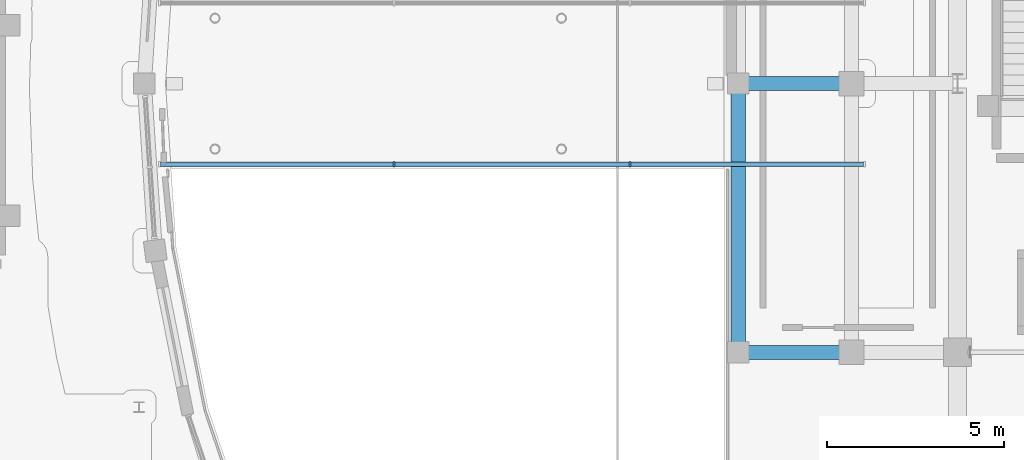
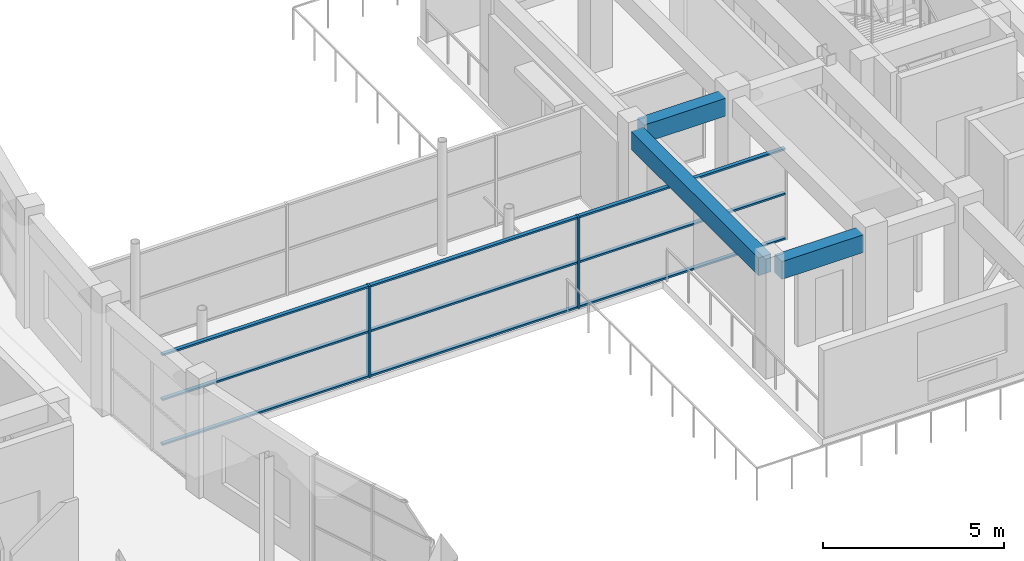
# One storey, part 18 of 72: 11 members, 3 beams, 1 element without a shape of its own.
"""IFC4 building model written with IfcOpenShell, lengths in metres."""

import ifcopenshell
import ifcopenshell.guid

model = None  # the IFC model being written
_history = None  # IfcOwnerHistory: only IFC2X3 demands one
_inside = {}  # id of a spatial element -> (the spatial element, [elements in it])
_under = {}  # id of a project, library or spatial element -> (it, [spatial elements below it])
_declared = {}  # id of a project -> (the project, [libraries it declares])
_typed = {}  # id of a type object -> (the type object, [elements of that type])
_made_of = {}  # id of a material, layer set ... -> (it, [elements and type objects made of it])


def new_model(schema):
    """Start an empty IFC model of exactly this schema.

    Asked for "IFC4X3", IfcOpenShell would pick the latest addendum, in which some entities
    have other attributes; the version numbers below select the first issue.
    IFC2X3 requires an IfcOwnerHistory on every rooted entity: one is made here for all.
    """
    global model, _history
    if schema == "IFC4X3":
        model = ifcopenshell.file(schema_version=(4, 3, 0, 0))
    else:
        model = ifcopenshell.file(schema=schema)
    _inside.clear()
    _under.clear()
    _declared.clear()
    _typed.clear()
    _made_of.clear()
    _history = None
    if model.schema == "IFC2X3":
        org = make("IfcOrganization", Name="unknown")
        user = make(
            "IfcPersonAndOrganization",
            ThePerson=make("IfcPerson", FamilyName="unknown"),
            TheOrganization=org,
        )
        app = make(
            "IfcApplication",
            ApplicationDeveloper=org,
            Version="unknown",
            ApplicationFullName="unknown",
            ApplicationIdentifier="unknown",
        )
        _history = make(
            "IfcOwnerHistory",
            OwningUser=user,
            OwningApplication=app,
            ChangeAction="ADDED",
            CreationDate=0,
        )
    return model


def make(cls, **values):
    """One entity of the class cls with the attributes given. An attribute that is None is left unset."""
    return model.create_entity(
        cls, **{name: value for name, value in values.items() if value is not None}
    )


def rooted(cls, **values):
    """An entity with a GlobalId (a new one), such as an element, a storey or a relation."""
    return make(cls, GlobalId=ifcopenshell.guid.new(), OwnerHistory=_history, **values)


def si_unit(unit_type, name, prefix=None):
    """IfcSIUnit, for example si_unit("LENGTHUNIT", "METRE", prefix="MILLI")."""
    return make("IfcSIUnit", UnitType=unit_type, Prefix=prefix, Name=name)


def assignment(units):
    """IfcUnitAssignment: the units of a project."""
    return None if units is None else make("IfcUnitAssignment", Units=units)


def point(xyz):
    """IfcCartesianPoint."""
    return None if xyz is None else make("IfcCartesianPoint", Coordinates=xyz)


def direction(xyz):
    """IfcDirection."""
    return None if xyz is None else make("IfcDirection", DirectionRatios=xyz)


def frame(location, z_axis=None, x_axis=None):
    """IfcAxis2Placement3D, a coordinate frame: its origin and axes. An axis left out is left unset."""
    return make(
        "IfcAxis2Placement3D",
        Location=point(location),
        Axis=direction(z_axis),
        RefDirection=direction(x_axis),
    )


def frame_2d(location, x_axis=None):
    """IfcAxis2Placement2D, a coordinate frame in the plane: its origin and x axis."""
    return make(
        "IfcAxis2Placement2D", Location=point(location), RefDirection=direction(x_axis)
    )


def origin():
    """The frame at (0, 0, 0) with its axes left unset."""
    return frame((0.0, 0.0, 0.0))


def origin_2d():
    """The frame at (0, 0) in the plane with its x axis left unset."""
    return frame_2d((0.0, 0.0))


def place(relative_to, where):
    """IfcLocalPlacement: puts the frame where relative to a parent placement (None: the world)."""
    return make(
        "IfcLocalPlacement", PlacementRelTo=relative_to, RelativePlacement=where
    )


def context(
    kind, dimensions, precision=None, world=None, true_north=None, identifier=None
):
    """IfcGeometricRepresentationContext, for example the 3D "Model" context."""
    return make(
        "IfcGeometricRepresentationContext",
        ContextIdentifier=identifier,
        ContextType=kind,
        CoordinateSpaceDimension=dimensions,
        Precision=precision,
        WorldCoordinateSystem=world,
        TrueNorth=true_north,
    )


def subcontext(parent, identifier, kind, view, scale=None):
    """IfcGeometricRepresentationSubContext, for example "Body" below "Model"."""
    return make(
        "IfcGeometricRepresentationSubContext",
        ContextIdentifier=identifier,
        ContextType=kind,
        ParentContext=parent,
        TargetScale=scale,
        TargetView=view,
    )


def project(units=None, contexts=None):
    """IfcProject with its units and contexts."""
    return rooted(
        "IfcProject",
        Name="project",
        RepresentationContexts=contexts,
        UnitsInContext=assignment(units),
    )


def spatial(cls, under=None, at=None, **own):
    """A site, building, storey or space (cls), placed at a placement, below another one or the project."""
    s = rooted(cls, ObjectPlacement=at, **own)
    if under is not None:
        _under.setdefault(under.id(), (under, []))[1].append(s)
    return s


def profile(cls, at=None, kind="AREA", **sizes):
    """A parametric profile (cls). Its sizes go by their IFC names, for example OverallWidth=200.0."""
    return make(cls, ProfileType=kind, Position=at, **sizes)


def rectangle(**sizes):
    """IfcRectangleProfileDef."""
    return profile("IfcRectangleProfileDef", **sizes)


def extrude(swept, where, along, depth):
    """IfcExtrudedAreaSolid: the profile swept, set in the frame where, extruded along a direction by depth."""
    return make(
        "IfcExtrudedAreaSolid",
        SweptArea=swept,
        Position=where,
        ExtrudedDirection=direction(along),
        Depth=depth,
    )


def shape(context_of_items, identifier, shape_type, items):
    """IfcShapeRepresentation: the items that make up one representation, for example the "Body"."""
    return make(
        "IfcShapeRepresentation",
        ContextOfItems=context_of_items,
        RepresentationIdentifier=identifier,
        RepresentationType=shape_type,
        Items=items,
    )


def material(Name=None, Category=None):
    """IfcMaterial."""
    return make("IfcMaterial", Name=Name, Category=Category)


def material_profile(
    of_material, cross_section, Name=None, Category=None, Priority=None
):
    """IfcMaterialProfile: a cross section and its material."""
    return make(
        "IfcMaterialProfile",
        Name=Name,
        Material=of_material,
        Profile=cross_section,
        Priority=Priority,
        Category=Category,
    )


def profile_set(profiles, Name=None, composite=None):
    """IfcMaterialProfileSet."""
    return make(
        "IfcMaterialProfileSet",
        Name=Name,
        MaterialProfiles=profiles,
        CompositeProfile=composite,
    )


def made_of(thing, what):
    """Note that an element or type object is made of a material, layer set ...; save() writes the relation."""
    if what is not None:
        _made_of.setdefault(what.id(), (what, []))[1].append(thing)
    return thing


def type_object(cls, material=None, **own):
    """A type object (cls), such as IfcWallType, which elements share."""
    return made_of(rooted(cls, **own), material)


def element(
    cls,
    number,
    at=None,
    inside=None,
    cuts=None,
    type_object=None,
    material=None,
    context=None,
    identifier="Body",
    shape_type=None,
    held_by="IfcProductDefinitionShape",
    body=None,
    shapes=None,
    **own,
):
    """One element of the class cls, such as IfcWall. Its Tag is "e" and its number.

    at: its placement. inside: the storey or other place that contains it. cuts: it is an
    opening in that element (IfcRelVoidsElement). A single representation is given by context,
    identifier, shape_type and body (its items); several are given by shapes. held_by: the class
    of the entity that holds the representations. save() writes the other relations.
    """
    e = rooted(cls, Tag="e%d" % number, ObjectPlacement=at, **own)
    if body is not None:
        shapes = [shape(context, identifier, shape_type, body)]
    if shapes is not None:
        e.Representation = make(held_by, Representations=shapes)
    if inside is not None:
        _inside.setdefault(inside.id(), (inside, []))[1].append(e)
    if cuts is not None:
        rooted(
            "IfcRelVoidsElement", RelatingBuildingElement=cuts, RelatedOpeningElement=e
        )
    if type_object is not None:
        _typed.setdefault(type_object.id(), (type_object, []))[1].append(e)
    return made_of(e, material)


def aggregate(whole, parts):
    """IfcRelAggregates: a whole, such as a stair, and the parts it consists of."""
    return rooted("IfcRelAggregates", RelatingObject=whole, RelatedObjects=parts)


def save(model, path):
    """Write the relations noted so far, then the file.

    IfcRelAggregates (storeys below a building ...), IfcRelContainedInSpatialStructure (elements
    in a storey), IfcRelDefinesByType, IfcRelAssociatesMaterial and IfcRelDeclares: one each for
    every whole, place, type object, material and project.
    """
    for whole, parts in _under.values():
        aggregate(whole, parts)
    for where, things in _inside.values():
        rooted(
            "IfcRelContainedInSpatialStructure",
            RelatedElements=things,
            RelatingStructure=where,
        )
    for kind, things in _typed.values():
        rooted("IfcRelDefinesByType", RelatedObjects=things, RelatingType=kind)
    for what, things in _made_of.values():
        rooted("IfcRelAssociatesMaterial", RelatedObjects=things, RelatingMaterial=what)
    for by, libraries in _declared.values():
        rooted("IfcRelDeclares", RelatingContext=by, RelatedDefinitions=libraries)
    model.write(path)


model = new_model("IFC4")

# Units and contexts
model_context = context("Model", 3, precision=1e-05, world=origin(), true_north=direction((0.0, 1.0)))
body_context = subcontext(model_context, "Body", "Model", "MODEL_VIEW")
ifc_project = project(units=[si_unit("LENGTHUNIT", "METRE"), si_unit("AREAUNIT", "SQUARE_METRE"), si_unit("VOLUMEUNIT", "CUBIC_METRE"), si_unit("PLANEANGLEUNIT", "RADIAN"), si_unit("MASSUNIT", "GRAM", prefix="KILO")], contexts=[model_context])

# Site, building, storey
site_placement = place(None, origin())
site = spatial("IfcSite", under=ifc_project, at=site_placement, CompositionType="ELEMENT")
building_placement = place(site_placement, origin())
building = spatial("IfcBuilding", under=site, at=building_placement, Name="Saryqyr Civic Hall", CompositionType="ELEMENT")
storey_placement = place(building_placement, frame((0.0, 0.0, 17.25)))
storey = spatial("IfcBuildingStorey", under=building, at=storey_placement, Name="L04", CompositionType="ELEMENT", Elevation=17.25)

# Curtain wall, members
ifc_material_1 = material(Name="Anodised aluminium and triple low-E glass", Category="aluminium")
curtain_wall_type = type_object("IfcCurtainWallType", Name="ENV-CW-STD-86", PredefinedType="NOTDEFINED", material=ifc_material_1)
curtain_wall_placement = place(storey_placement, origin())
curtain_wall = element("IfcCurtainWall", 1, at=curtain_wall_placement, inside=storey, type_object=curtain_wall_type, Name="Curtain wall BR-CW-CW1-L04", PredefinedType="NOTDEFINED")
ifc_material_2 = material(Name="Anodised aluminium", Category="aluminium")
ifc_material_profile_1 = material_profile(ifc_material_2, rectangle(XDim=0.06005859375, YDim=0.159912109375, at=origin_2d()), Name="ALU MULLION 60x160")
ifc_profile_set_1 = profile_set([ifc_material_profile_1], Name="Anodised aluminium")
member_type_1 = type_object("IfcMemberType", Name="ENV-CW-MUL-180", PredefinedType="MULLION", material=ifc_profile_set_1)
member_1_placement = place(storey_placement, frame((34.533447265625, 81.719970703125, 0.0), z_axis=(0.0, 0.0, 1.0), x_axis=(-1.0, 0.0, 0.0)))
member_1 = element("IfcMember", 2, at=member_1_placement, type_object=member_type_1, Name="CW-86 mullion 2", PredefinedType="MULLION", context=body_context, shape_type="SweptSolid", body=[
    extrude(rectangle(XDim=0.06005859375, YDim=0.159912109375, at=origin_2d()), origin(), (0.0, 0.0, 1.0), 3.0849609375),
])
member_2_placement = place(storey_placement, frame((27.86669921875, 81.719970703125, 0.0), z_axis=(0.0, 0.0, 1.0), x_axis=(-1.0, 0.0, 0.0)))
member_2 = element("IfcMember", 3, at=member_2_placement, type_object=member_type_1, Name="CW-86 mullion 3", PredefinedType="MULLION", context=body_context, shape_type="SweptSolid", body=[
    extrude(rectangle(XDim=0.06005859375, YDim=0.159912109375, at=origin_2d()), origin(), (0.0, 0.0, 1.0), 3.0849609375),
])
ifc_material_profile_2 = material_profile(ifc_material_2, rectangle(XDim=0.1201171875, YDim=0.06005859375, at=origin_2d()), Name="ALU TRANSOM 120x60")
ifc_profile_set_2 = profile_set([ifc_material_profile_2], Name="Anodised aluminium")
member_type_2 = type_object("IfcMemberType", Name="ENV-CW-TRN-150", PredefinedType="USERDEFINED", material=ifc_profile_set_2)
member_3_placement = place(storey_placement, frame((41.139892578125, 81.719970703125, 0.030029296875), z_axis=(-1.0, 0.0, 0.0), x_axis=(0.0, -1.0, 0.0)))
member_3 = element("IfcMember", 4, at=member_3_placement, type_object=member_type_2, Name="CW-86 transom 1.1", ObjectType="TRANSOM", PredefinedType="USERDEFINED", context=body_context, shape_type="SweptSolid", body=[
    extrude(rectangle(XDim=0.1201171875, YDim=0.06005859375, at=origin_2d()), origin(), (0.0, 0.0, 1.0), 6.57666015625),
])
member_4_placement = place(storey_placement, frame((41.139892578125, 81.719970703125, 1.54296875), z_axis=(-1.0, 0.0, 0.0), x_axis=(0.0, -1.0, 0.0)))
member_4 = element("IfcMember", 5, at=member_4_placement, type_object=member_type_2, Name="CW-86 transom 1.2", ObjectType="TRANSOM", PredefinedType="USERDEFINED", context=body_context, shape_type="SweptSolid", body=[
    extrude(rectangle(XDim=0.1201171875, YDim=0.06005859375, at=origin_2d()), origin(), (0.0, 0.0, 1.0), 6.57666015625),
])
member_5_placement = place(storey_placement, frame((41.139892578125, 81.719970703125, 3.054931640625), z_axis=(-1.0, 0.0, 0.0), x_axis=(0.0, -1.0, 0.0)))
member_5 = element("IfcMember", 6, at=member_5_placement, type_object=member_type_2, Name="CW-86 transom 1.3", ObjectType="TRANSOM", PredefinedType="USERDEFINED", context=body_context, shape_type="SweptSolid", body=[
    extrude(rectangle(XDim=0.1201171875, YDim=0.06005859375, at=origin_2d()), origin(), (0.0, 0.0, 1.0), 6.57666015625),
])
member_6_placement = place(storey_placement, frame((34.50341796875, 81.719970703125, 0.030029296875), z_axis=(-1.0, 0.0, 0.0), x_axis=(0.0, -1.0, 0.0)))
member_6 = element("IfcMember", 7, at=member_6_placement, type_object=member_type_2, Name="CW-86 transom 2.1", ObjectType="TRANSOM", PredefinedType="USERDEFINED", context=body_context, shape_type="SweptSolid", body=[
    extrude(rectangle(XDim=0.1201171875, YDim=0.06005859375, at=origin_2d()), origin(), (0.0, 0.0, 1.0), 6.606689453125),
])
member_7_placement = place(storey_placement, frame((34.50341796875, 81.719970703125, 1.54296875), z_axis=(-1.0, 0.0, 0.0), x_axis=(0.0, -1.0, 0.0)))
member_7 = element("IfcMember", 8, at=member_7_placement, type_object=member_type_2, Name="CW-86 transom 2.2", ObjectType="TRANSOM", PredefinedType="USERDEFINED", context=body_context, shape_type="SweptSolid", body=[
    extrude(rectangle(XDim=0.1201171875, YDim=0.06005859375, at=origin_2d()), origin(), (0.0, 0.0, 1.0), 6.606689453125),
])
member_8_placement = place(storey_placement, frame((34.50341796875, 81.719970703125, 3.054931640625), z_axis=(-1.0, 0.0, 0.0), x_axis=(0.0, -1.0, 0.0)))
member_8 = element("IfcMember", 9, at=member_8_placement, type_object=member_type_2, Name="CW-86 transom 2.3", ObjectType="TRANSOM", PredefinedType="USERDEFINED", context=body_context, shape_type="SweptSolid", body=[
    extrude(rectangle(XDim=0.1201171875, YDim=0.06005859375, at=origin_2d()), origin(), (0.0, 0.0, 1.0), 6.606689453125),
])
member_9_placement = place(storey_placement, frame((27.836669921875, 81.719970703125, 0.030029296875), z_axis=(-1.0, 0.0, 0.0), x_axis=(0.0, -1.0, 0.0)))
member_9 = element("IfcMember", 10, at=member_9_placement, type_object=member_type_2, Name="CW-86 transom 3.1", ObjectType="TRANSOM", PredefinedType="USERDEFINED", context=body_context, shape_type="SweptSolid", body=[
    extrude(rectangle(XDim=0.1201171875, YDim=0.06005859375, at=origin_2d()), origin(), (0.0, 0.0, 1.0), 6.57666015625),
])
member_10_placement = place(storey_placement, frame((27.836669921875, 81.719970703125, 1.54296875), z_axis=(-1.0, 0.0, 0.0), x_axis=(0.0, -1.0, 0.0)))
member_10 = element("IfcMember", 11, at=member_10_placement, type_object=member_type_2, Name="CW-86 transom 3.2", ObjectType="TRANSOM", PredefinedType="USERDEFINED", context=body_context, shape_type="SweptSolid", body=[
    extrude(rectangle(XDim=0.1201171875, YDim=0.06005859375, at=origin_2d()), origin(), (0.0, 0.0, 1.0), 6.57666015625),
])
member_11_placement = place(storey_placement, frame((27.836669921875, 81.719970703125, 3.054931640625), z_axis=(-1.0, 0.0, 0.0), x_axis=(0.0, -1.0, 0.0)))
member_11 = element("IfcMember", 12, at=member_11_placement, type_object=member_type_2, Name="CW-86 transom 3.3", ObjectType="TRANSOM", PredefinedType="USERDEFINED", context=body_context, shape_type="SweptSolid", body=[
    extrude(rectangle(XDim=0.1201171875, YDim=0.06005859375, at=origin_2d()), origin(), (0.0, 0.0, 1.0), 6.57666015625),
])
aggregate(curtain_wall, [member_1, member_2, member_3, member_4, member_5, member_6, member_7, member_8, member_9, member_10, member_11])

# Beams
ifc_material_3 = material(Name="Concrete C35/45", Category="concrete")
ifc_material_profile_3 = material_profile(ifc_material_3, rectangle(XDim=0.39990234375, YDim=0.60009765625, at=origin_2d()), Name="RC 400x600")
ifc_profile_set_3 = profile_set([ifc_material_profile_3], Name="Concrete C35/45")
beam_type = type_object("IfcBeamType", Name="STR-BM-RC400x600", PredefinedType="BEAM", material=ifc_profile_set_3)
for number, where, z_axis, x_axis, name in (
    (13, (37.875, 76.39990234375, 3.409912109375), (1.0, 0.0, 0.0), (0.0, 1.0, 0.0), "Beam V1-TBM-19-L04"),
    (14, (37.875, 84.0, 3.409912109375), (1.0, 0.0, 0.0), (0.0, 1.0, 0.0), "Beam V1-TBM-20-L04"),
):
    element("IfcBeam", number, at=place(storey_placement, frame(where, z_axis=z_axis, x_axis=x_axis)), inside=storey, type_object=beam_type, Name=name, PredefinedType="BEAM", context=body_context, shape_type="SweptSolid", body=[
        extrude(rectangle(XDim=0.39990234375, YDim=0.60009765625, at=origin_2d()), origin(), (0.0, 0.0, 1.0), 2.60009765625),
    ])
beam_placement = place(storey_placement, frame((37.60009765625, 76.675048828125, 3.409912109375), z_axis=(0.0, 1.0, 0.0), x_axis=(-1.0, 0.0, 0.0)))
element("IfcBeam", 15, at=beam_placement, inside=storey, type_object=beam_type, Name="Beam V1-TBM-29-L04", PredefinedType="BEAM", context=body_context, shape_type="SweptSolid", body=[
    extrude(rectangle(XDim=0.39990234375, YDim=0.60009765625, at=origin_2d()), origin(), (0.0, 0.0, 1.0), 7.050048828125),
])

save(model, "model.ifc")
